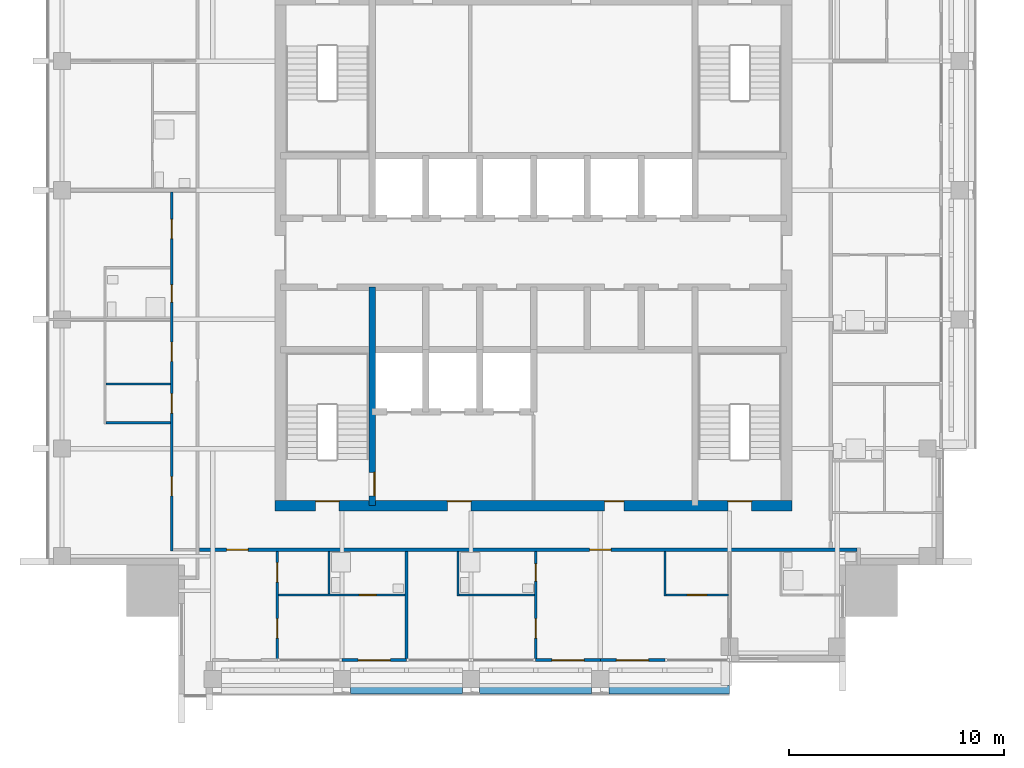
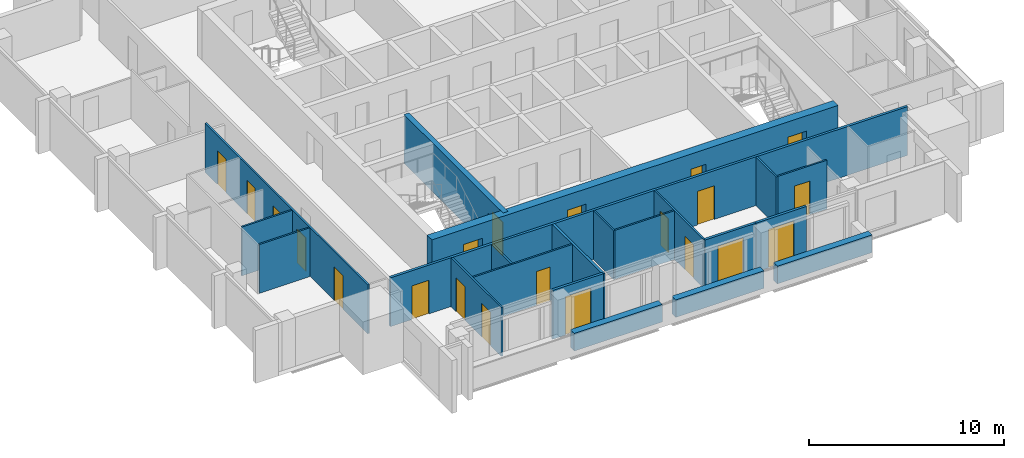
# One storey, part 7 of 15: 21 doors, 21 walls, 21 openings.
"""IFC4 building model written with IfcOpenShell, lengths in metres."""

from ifc_helpers import new_model, si_unit, direction, frame, frame_2d, origin, place, context, subcontext, project, spatial, rectangle, extrude, material, layer, layer_set, type_object, element, fill, save


model = new_model("IFC4")

# Units and contexts
model_context = context("Model", 3, precision=1e-05, world=origin(), true_north=direction((0.0, 1.0)))
body_context = subcontext(model_context, "Body", "Model", "MODEL_VIEW")
ifc_project = project(units=[si_unit("LENGTHUNIT", "METRE"), si_unit("AREAUNIT", "SQUARE_METRE"), si_unit("VOLUMEUNIT", "CUBIC_METRE"), si_unit("PLANEANGLEUNIT", "RADIAN"), si_unit("MASSUNIT", "GRAM", prefix="KILO")], contexts=[model_context])

# Site, building, storey
site_placement = place(None, origin())
site = spatial("IfcSite", under=ifc_project, at=site_placement, CompositionType="ELEMENT")
building_placement = place(site_placement, origin())
building = spatial("IfcBuilding", under=site, at=building_placement, Name="Amberfall Residences", CompositionType="ELEMENT")
storey_placement = place(building_placement, frame((0.0, 0.0, 268.60009765625)))
storey = spatial("IfcBuildingStorey", under=building, at=storey_placement, Name="L72", CompositionType="ELEMENT", Elevation=268.60009765625)

# Wall, opening, door
ifc_material_1 = material(Name="Concrete C50", Category="concrete")
ifc_layer_1 = layer(ifc_material_1, 0.300048828125)
ifc_layer_set_1 = layer_set([ifc_layer_1], Name="Core wall 300 C50")
wall_type_1 = type_object("IfcWallType", Name="Core wall 300 C50", PredefinedType="SHEAR", material=ifc_layer_set_1)
wall_1_placement = place(storey_placement, frame((67.0, 33.75, 0.0), z_axis=(0.0, 0.0, 1.0), x_axis=(0.0, 1.0, 0.0)))
wall_1 = element("IfcWall", 1, at=wall_1_placement, inside=storey, type_object=wall_type_1, Name="Core wall RW10 L72 V45S", PredefinedType="SHEAR", context=body_context, shape_type="SweptSolid", body=[
    extrude(rectangle(XDim=10.14990234375, YDim=0.300048828125, at=frame_2d((5.074951171875, 0.0))), origin(), (0.0, 0.0, 1.0), 3.0498046875),
])
opening_1_placement = place(wall_1_placement, frame((0.449951171875, 0.0, 0.0)))
opening_1 = element("IfcOpeningElement", 2, at=opening_1_placement, cuts=wall_1, Name="Opening FL1", PredefinedType="OPENING", context=body_context, shape_type="SweptSolid", body=[
    extrude(rectangle(XDim=1.10009765625, YDim=2.10009765625, at=frame_2d((0.550048828125, 1.050048828125))), frame((0.0, 0.159912109375, 0.0), z_axis=(0.0, -1.0, 0.0), x_axis=(1.0, 0.0, 0.0)), (0.0, 0.0, 1.0), 0.320068359375),
])
ifc_material_2 = material(Name="Steel fire door set", Category="steel")
door_type_1 = type_object("IfcDoorType", Name="Firefighting lobby door 1100 x 2100", OperationType="SINGLE_SWING_LEFT", PredefinedType="DOOR", material=ifc_material_2)
door_1_placement = place(opening_1_placement, origin())
door_1 = element("IfcDoor", 3, at=door_1_placement, inside=storey, type_object=door_type_1, Name="FL1 L72", OperationType="SINGLE_SWING_RIGHT", OverallHeight=2.10009765625, OverallWidth=1.10009765625, PredefinedType="DOOR", context=body_context, shape_type="SweptSolid", body=[
    extrude(rectangle(XDim=1.10009765625, YDim=2.10009765625, at=frame_2d((0.550048828125, 1.050048828125))), frame((0.0, -0.08740234375, 0.0), z_axis=(0.0, -1.0, 0.0), x_axis=(1.0, 0.0, 0.0)), (0.0, 0.0, 1.0), 0.050048828125),
])
fill(opening_1, door_1)

# Wall, openings, doors
ifc_layer_2 = layer(ifc_material_1, 0.5)
ifc_layer_set_2 = layer_set([ifc_layer_2], Name="Core wall 500 C50")
wall_type_2 = type_object("IfcWallType", Name="Core wall 500 C50", PredefinedType="SHEAR", material=ifc_layer_set_2)
wall_2_placement = place(storey_placement, frame((62.5, 33.75, 0.0), z_axis=(0.0, 0.0, 1.0), x_axis=(1.0, 0.0, 0.0)))
wall_2 = element("IfcWall", 4, at=wall_2_placement, inside=storey, type_object=wall_type_2, Name="Core wall RW9 L72 OS", PredefinedType="SHEAR", context=body_context, shape_type="SweptSolid", body=[
    extrude(rectangle(XDim=24.0, YDim=0.5, at=frame_2d((12.0, 0.0))), origin(), (0.0, 0.0, 1.0), 3.0498046875),
])
opening_2_placement = place(wall_2_placement, frame((1.875, 0.0, 0.0)))
opening_2 = element("IfcOpeningElement", 5, at=opening_2_placement, cuts=wall_2, Name="Opening SD1", PredefinedType="OPENING", context=body_context, shape_type="SweptSolid", body=[
    extrude(rectangle(XDim=1.10009765625, YDim=2.10009765625, at=frame_2d((0.550048828125, 1.050048828125))), frame((0.0, 0.260009765625, 0.0), z_axis=(0.0, -1.0, 0.0), x_axis=(1.0, 0.0, 0.0)), (0.0, 0.0, 1.0), 0.52001953125),
])
opening_3_placement = place(wall_2_placement, frame((21.02490234375, 0.0, 0.0)))
opening_3 = element("IfcOpeningElement", 6, at=opening_3_placement, cuts=wall_2, Name="Opening SD1", PredefinedType="OPENING", context=body_context, shape_type="SweptSolid", body=[
    extrude(rectangle(XDim=1.10009765625, YDim=2.10009765625, at=frame_2d((0.550048828125, 1.050048828125))), frame((0.0, 0.260009765625, 0.0), z_axis=(0.0, -1.0, 0.0), x_axis=(1.0, 0.0, 0.0)), (0.0, 0.0, 1.0), 0.52001953125),
])
opening_4_placement = place(wall_2_placement, frame((8.0, 0.0, 0.0)))
opening_4 = element("IfcOpeningElement", 7, at=opening_4_placement, cuts=wall_2, Name="Opening FL1", PredefinedType="OPENING", context=body_context, shape_type="SweptSolid", body=[
    extrude(rectangle(XDim=1.10009765625, YDim=2.10009765625, at=frame_2d((0.550048828125, 1.050048828125))), frame((0.0, 0.260009765625, 0.0), z_axis=(0.0, -1.0, 0.0), x_axis=(1.0, 0.0, 0.0)), (0.0, 0.0, 1.0), 0.52001953125),
])
opening_5_placement = place(wall_2_placement, frame((15.300048828125, 0.0, 0.0)))
opening_5 = element("IfcOpeningElement", 8, at=opening_5_placement, cuts=wall_2, Name="Opening RD1", PredefinedType="OPENING", context=body_context, shape_type="SweptSolid", body=[
    extrude(rectangle(XDim=0.89990234375, YDim=2.10009765625, at=frame_2d((0.449951171875, 1.050048828125))), frame((0.0, 0.260009765625, 0.0), z_axis=(0.0, -1.0, 0.0), x_axis=(1.0, 0.0, 0.0)), (0.0, 0.0, 1.0), 0.52001953125),
])
door_2_placement = place(opening_4_placement, origin())
door_2 = element("IfcDoor", 9, at=door_2_placement, inside=storey, type_object=door_type_1, Name="FL1 L72", OperationType="SINGLE_SWING_LEFT", OverallHeight=2.10009765625, OverallWidth=1.10009765625, PredefinedType="DOOR", context=body_context, shape_type="SweptSolid", body=[
    extrude(rectangle(XDim=1.10009765625, YDim=2.10009765625, at=frame_2d((0.550048828125, 1.050048828125))), frame((0.0, 0.2373046875, 0.0), z_axis=(0.0, -1.0, 0.0), x_axis=(1.0, 0.0, 0.0)), (0.0, 0.0, 1.0), 0.050048828125),
])
fill(opening_4, door_2)
door_type_2 = type_object("IfcDoorType", Name="Service room door 900 x 2100", OperationType="SINGLE_SWING_LEFT", PredefinedType="DOOR", material=ifc_material_2)
door_3_placement = place(opening_5_placement, origin())
door_3 = element("IfcDoor", 10, at=door_3_placement, inside=storey, type_object=door_type_2, Name="RD1 L72", OperationType="SINGLE_SWING_LEFT", OverallHeight=2.10009765625, OverallWidth=0.89990234375, PredefinedType="DOOR", context=body_context, shape_type="SweptSolid", body=[
    extrude(rectangle(XDim=0.89990234375, YDim=2.10009765625, at=frame_2d((0.449951171875, 1.050048828125))), frame((0.0, 0.2373046875, 0.0), z_axis=(0.0, -1.0, 0.0), x_axis=(1.0, 0.0, 0.0)), (0.0, 0.0, 1.0), 0.050048828125),
])
fill(opening_5, door_3)
door_type_3 = type_object("IfcDoorType", Name="Stair door 1100 x 2100", OperationType="SINGLE_SWING_LEFT", PredefinedType="DOOR", material=ifc_material_2)
door_4_placement = place(opening_2_placement, origin())
door_4 = element("IfcDoor", 11, at=door_4_placement, inside=storey, type_object=door_type_3, Name="SD1 L72", OperationType="SINGLE_SWING_LEFT", OverallHeight=2.10009765625, OverallWidth=1.10009765625, PredefinedType="DOOR", context=body_context, shape_type="SweptSolid", body=[
    extrude(rectangle(XDim=1.10009765625, YDim=2.10009765625, at=frame_2d((0.550048828125, 1.050048828125))), frame((0.0, 0.2373046875, 0.0), z_axis=(0.0, -1.0, 0.0), x_axis=(1.0, 0.0, 0.0)), (0.0, 0.0, 1.0), 0.050048828125),
])
fill(opening_2, door_4)
door_5_placement = place(opening_3_placement, origin())
door_5 = element("IfcDoor", 12, at=door_5_placement, inside=storey, type_object=door_type_3, Name="SD1 L72", OperationType="SINGLE_SWING_RIGHT", OverallHeight=2.10009765625, OverallWidth=1.10009765625, PredefinedType="DOOR", context=body_context, shape_type="SweptSolid", body=[
    extrude(rectangle(XDim=1.10009765625, YDim=2.10009765625, at=frame_2d((0.550048828125, 1.050048828125))), frame((0.0, 0.2373046875, 0.0), z_axis=(0.0, -1.0, 0.0), x_axis=(1.0, 0.0, 0.0)), (0.0, 0.0, 1.0), 0.050048828125),
])
fill(opening_3, door_5)

ifc_material_3 = material(Name="Gypsum board on metal stud")
ifc_layer_3 = layer(ifc_material_3, 0.10009765625)
ifc_layer_set_3 = layer_set([ifc_layer_3], Name="Flat partition 100")
wall_type_3 = type_object("IfcWallType", Name="Flat partition 100", PredefinedType="PARTITIONING", material=ifc_layer_set_3)
wall_3_placement = place(storey_placement, frame((57.699951171875, 31.64990234375, 0.0), z_axis=(0.0, 0.0, 1.0), x_axis=(0.0, 1.0, 0.0)))
wall_3 = element("IfcWall", 13, at=wall_3_placement, inside=storey, type_object=wall_type_3, Name="Partition 003", PredefinedType="PARTITIONING", context=body_context, shape_type="SweptSolid", body=[
    extrude(rectangle(XDim=16.675048828125, YDim=0.10009765625, at=frame_2d((8.33740234375, 0.0))), origin(), (0.0, 0.0, 1.0), 3.0498046875),
])
opening_6_placement = place(wall_3_placement, frame((2.550048828125, 0.0, 0.0)))
opening_6 = element("IfcOpeningElement", 14, at=opening_6_placement, cuts=wall_3, Name="Opening D41", PredefinedType="OPENING", context=body_context, shape_type="SweptSolid", body=[
    extrude(rectangle(XDim=0.89990234375, YDim=2.10009765625, at=frame_2d((0.449951171875, 1.050048828125))), frame((0.0, 0.06005859375, 0.0), z_axis=(0.0, -1.0, 0.0), x_axis=(1.0, 0.0, 0.0)), (0.0, 0.0, 1.0), 0.1201171875),
])
opening_7_placement = place(wall_3_placement, frame((8.800048828125, 0.0, 0.0)))
opening_7 = element("IfcOpeningElement", 15, at=opening_7_placement, cuts=wall_3, Name="Opening D41", PredefinedType="OPENING", context=body_context, shape_type="SweptSolid", body=[
    extrude(rectangle(XDim=0.89990234375, YDim=2.10009765625, at=frame_2d((0.449951171875, 1.050048828125))), frame((0.0, 0.06005859375, 0.0), z_axis=(0.0, -1.0, 0.0), x_axis=(1.0, 0.0, 0.0)), (0.0, 0.0, 1.0), 0.1201171875),
])
opening_8_placement = place(wall_3_placement, frame((6.39990234375, 0.0, 0.0)))
opening_8 = element("IfcOpeningElement", 16, at=opening_8_placement, cuts=wall_3, Name="Opening D41", PredefinedType="OPENING", context=body_context, shape_type="SweptSolid", body=[
    extrude(rectangle(XDim=0.89990234375, YDim=2.10009765625, at=frame_2d((0.449951171875, 1.050048828125))), frame((0.0, 0.06005859375, 0.0), z_axis=(0.0, -1.0, 0.0), x_axis=(1.0, 0.0, 0.0)), (0.0, 0.0, 1.0), 0.1201171875),
])
opening_9_placement = place(wall_3_placement, frame((14.5, 0.0, 0.0)))
opening_9 = element("IfcOpeningElement", 17, at=opening_9_placement, cuts=wall_3, Name="Opening D41", PredefinedType="OPENING", context=body_context, shape_type="SweptSolid", body=[
    extrude(rectangle(XDim=0.89990234375, YDim=2.10009765625, at=frame_2d((0.449951171875, 1.050048828125))), frame((0.0, 0.06005859375, 0.0), z_axis=(0.0, -1.0, 0.0), x_axis=(1.0, 0.0, 0.0)), (0.0, 0.0, 1.0), 0.1201171875),
])
opening_10_placement = place(wall_3_placement, frame((11.550048828125, 0.0, 0.0)))
opening_10 = element("IfcOpeningElement", 18, at=opening_10_placement, cuts=wall_3, Name="Opening D42", PredefinedType="OPENING", context=body_context, shape_type="SweptSolid", body=[
    extrude(rectangle(XDim=0.800048828125, YDim=2.10009765625, at=frame_2d((0.39990234375, 1.050048828125))), frame((0.0, 0.06005859375, 0.0), z_axis=(0.0, -1.0, 0.0), x_axis=(1.0, 0.0, 0.0)), (0.0, 0.0, 1.0), 0.1201171875),
])
ifc_material_4 = material(Name="Timber", Category="wood")
door_type_4 = type_object("IfcDoorType", Name="Bathroom door 800 x 2100", OperationType="SINGLE_SWING_LEFT", PredefinedType="DOOR", material=ifc_material_4)
door_6_placement = place(opening_10_placement, origin())
door_6 = element("IfcDoor", 19, at=door_6_placement, inside=storey, type_object=door_type_4, Name="Door 7207 bath1", OperationType="SINGLE_SWING_LEFT", OverallHeight=2.10009765625, OverallWidth=0.800048828125, PredefinedType="DOOR", context=body_context, shape_type="SweptSolid", body=[
    extrude(rectangle(XDim=0.800048828125, YDim=2.10009765625, at=frame_2d((0.39990234375, 1.050048828125))), frame((0.0, 0.02490234375, 0.0), z_axis=(0.0, -1.0, 0.0), x_axis=(1.0, 0.0, 0.0)), (0.0, 0.0, 1.0), 0.050048828125),
])
fill(opening_10, door_6)
door_type_5 = type_object("IfcDoorType", Name="Internal door 900 x 2100", OperationType="SINGLE_SWING_LEFT", PredefinedType="DOOR", material=ifc_material_4)
door_7_placement = place(opening_6_placement, origin())
door_7 = element("IfcDoor", 20, at=door_7_placement, inside=storey, type_object=door_type_5, Name="Door 7207 living", OperationType="SINGLE_SWING_LEFT", OverallHeight=2.10009765625, OverallWidth=0.89990234375, PredefinedType="DOOR", context=body_context, shape_type="SweptSolid", body=[
    extrude(rectangle(XDim=0.89990234375, YDim=2.10009765625, at=frame_2d((0.449951171875, 1.050048828125))), frame((0.0, 0.02490234375, 0.0), z_axis=(0.0, -1.0, 0.0), x_axis=(1.0, 0.0, 0.0)), (0.0, 0.0, 1.0), 0.050048828125),
])
fill(opening_6, door_7)
door_8_placement = place(opening_7_placement, origin())
door_8 = element("IfcDoor", 21, at=door_8_placement, inside=storey, type_object=door_type_5, Name="Door 7207 kitchen", OperationType="SINGLE_SWING_LEFT", OverallHeight=2.10009765625, OverallWidth=0.89990234375, PredefinedType="DOOR", context=body_context, shape_type="SweptSolid", body=[
    extrude(rectangle(XDim=0.89990234375, YDim=2.10009765625, at=frame_2d((0.449951171875, 1.050048828125))), frame((0.0, 0.02490234375, 0.0), z_axis=(0.0, -1.0, 0.0), x_axis=(1.0, 0.0, 0.0)), (0.0, 0.0, 1.0), 0.050048828125),
])
fill(opening_7, door_8)
door_9_placement = place(opening_8_placement, origin())
door_9 = element("IfcDoor", 22, at=door_9_placement, inside=storey, type_object=door_type_5, Name="Door 7207 utility", OperationType="SINGLE_SWING_LEFT", OverallHeight=2.10009765625, OverallWidth=0.89990234375, PredefinedType="DOOR", context=body_context, shape_type="SweptSolid", body=[
    extrude(rectangle(XDim=0.89990234375, YDim=2.10009765625, at=frame_2d((0.449951171875, 1.050048828125))), frame((0.0, 0.02490234375, 0.0), z_axis=(0.0, -1.0, 0.0), x_axis=(1.0, 0.0, 0.0)), (0.0, 0.0, 1.0), 0.050048828125),
])
fill(opening_8, door_9)
door_10_placement = place(opening_9_placement, origin())
door_10 = element("IfcDoor", 23, at=door_10_placement, inside=storey, type_object=door_type_5, Name="Door 7207 bedroom1", OperationType="SINGLE_SWING_LEFT", OverallHeight=2.10009765625, OverallWidth=0.89990234375, PredefinedType="DOOR", context=body_context, shape_type="SweptSolid", body=[
    extrude(rectangle(XDim=0.89990234375, YDim=2.10009765625, at=frame_2d((0.449951171875, 1.050048828125))), frame((0.0, 0.02490234375, 0.0), z_axis=(0.0, -1.0, 0.0), x_axis=(1.0, 0.0, 0.0)), (0.0, 0.0, 1.0), 0.050048828125),
])
fill(opening_9, door_10)

wall_4_placement = place(storey_placement, frame((62.60009765625, 31.625, 0.0), z_axis=(0.0, 0.0, 1.0), x_axis=(0.0, -1.0, 0.0)))
wall_4 = element("IfcWall", 24, at=wall_4_placement, inside=storey, type_object=wall_type_3, Name="Partition 004", PredefinedType="PARTITIONING", context=body_context, shape_type="SweptSolid", body=[
    extrude(rectangle(XDim=5.125, YDim=0.10009765625, at=frame_2d((2.5625, 0.0))), origin(), (0.0, 0.0, 1.0), 3.0498046875),
])
opening_11_placement = place(wall_4_placement, frame((0.52490234375, 0.0, 0.0)))
opening_11 = element("IfcOpeningElement", 25, at=opening_11_placement, cuts=wall_4, Name="Opening D41", PredefinedType="OPENING", context=body_context, shape_type="SweptSolid", body=[
    extrude(rectangle(XDim=0.89990234375, YDim=2.10009765625, at=frame_2d((0.449951171875, 1.050048828125))), frame((0.0, 0.06005859375, 0.0), z_axis=(0.0, -1.0, 0.0), x_axis=(1.0, 0.0, 0.0)), (0.0, 0.0, 1.0), 0.1201171875),
])
opening_12_placement = place(wall_4_placement, frame((3.125, 0.0, 0.0)))
opening_12 = element("IfcOpeningElement", 26, at=opening_12_placement, cuts=wall_4, Name="Opening D41", PredefinedType="OPENING", context=body_context, shape_type="SweptSolid", body=[
    extrude(rectangle(XDim=0.89990234375, YDim=2.10009765625, at=frame_2d((0.449951171875, 1.050048828125))), frame((0.0, 0.06005859375, 0.0), z_axis=(0.0, -1.0, 0.0), x_axis=(1.0, 0.0, 0.0)), (0.0, 0.0, 1.0), 0.1201171875),
])
door_11_placement = place(opening_11_placement, origin())
door_11 = element("IfcDoor", 27, at=door_11_placement, inside=storey, type_object=door_type_5, Name="Door 7201 kitchen", OperationType="SINGLE_SWING_LEFT", OverallHeight=2.10009765625, OverallWidth=0.89990234375, PredefinedType="DOOR", context=body_context, shape_type="SweptSolid", body=[
    extrude(rectangle(XDim=0.89990234375, YDim=2.10009765625, at=frame_2d((0.449951171875, 1.050048828125))), frame((0.0, 0.02490234375, 0.0), z_axis=(0.0, -1.0, 0.0), x_axis=(1.0, 0.0, 0.0)), (0.0, 0.0, 1.0), 0.050048828125),
])
fill(opening_11, door_11)
door_12_placement = place(opening_12_placement, origin())
door_12 = element("IfcDoor", 28, at=door_12_placement, inside=storey, type_object=door_type_5, Name="Door 7201 bedroom1", OperationType="SINGLE_SWING_LEFT", OverallHeight=2.10009765625, OverallWidth=0.89990234375, PredefinedType="DOOR", context=body_context, shape_type="SweptSolid", body=[
    extrude(rectangle(XDim=0.89990234375, YDim=2.10009765625, at=frame_2d((0.449951171875, 1.050048828125))), frame((0.0, 0.02490234375, 0.0), z_axis=(0.0, -1.0, 0.0), x_axis=(1.0, 0.0, 0.0)), (0.0, 0.0, 1.0), 0.050048828125),
])
fill(opening_12, door_12)

# Walls
wall_5_placement = place(storey_placement, frame((65.0, 29.64990234375, 0.0), z_axis=(0.0, 0.0, 1.0), x_axis=(0.0, 1.0, 0.0)))
element("IfcWall", 29, at=wall_5_placement, inside=storey, type_object=wall_type_3, Name="Partition 006", PredefinedType="PARTITIONING", context=body_context, shape_type="SweptSolid", body=[
    extrude(rectangle(XDim=1.97509765625, YDim=0.10009765625, at=frame_2d((0.987548828125, 0.0))), origin(), (0.0, 0.0, 1.0), 3.0498046875),
])
wall_6_placement = place(storey_placement, frame((71.0, 29.550048828125, 0.0), z_axis=(0.0, 0.0, 1.0), x_axis=(0.0, 1.0, 0.0)))
element("IfcWall", 30, at=wall_6_placement, inside=storey, type_object=wall_type_3, Name="Partition 009", PredefinedType="PARTITIONING", context=body_context, shape_type="SweptSolid", body=[
    extrude(rectangle(XDim=2.074951171875, YDim=0.10009765625, at=frame_2d((1.03759765625, 0.0))), origin(), (0.0, 0.0, 1.0), 3.0498046875),
])

# Wall, openings, doors
wall_7_placement = place(storey_placement, frame((74.60009765625, 26.5, 0.0), z_axis=(0.0, 0.0, 1.0), x_axis=(0.0, 1.0, 0.0)))
wall_7 = element("IfcWall", 31, at=wall_7_placement, inside=storey, type_object=wall_type_3, Name="Partition 011", PredefinedType="PARTITIONING", context=body_context, shape_type="SweptSolid", body=[
    extrude(rectangle(XDim=5.125, YDim=0.10009765625, at=frame_2d((2.5625, 0.0))), origin(), (0.0, 0.0, 1.0), 3.0498046875),
])
opening_13_placement = place(wall_7_placement, frame((1.10009765625, 0.0, 0.0)))
opening_13 = element("IfcOpeningElement", 32, at=opening_13_placement, cuts=wall_7, Name="Opening D41", PredefinedType="OPENING", context=body_context, shape_type="SweptSolid", body=[
    extrude(rectangle(XDim=0.89990234375, YDim=2.10009765625, at=frame_2d((0.449951171875, 1.050048828125))), frame((0.0, 0.06005859375, 0.0), z_axis=(0.0, -1.0, 0.0), x_axis=(1.0, 0.0, 0.0)), (0.0, 0.0, 1.0), 0.1201171875),
])
opening_14_placement = place(wall_7_placement, frame((3.75, 0.0, 0.0)))
opening_14 = element("IfcOpeningElement", 33, at=opening_14_placement, cuts=wall_7, Name="Opening D42", PredefinedType="OPENING", context=body_context, shape_type="SweptSolid", body=[
    extrude(rectangle(XDim=0.800048828125, YDim=2.10009765625, at=frame_2d((0.39990234375, 1.050048828125))), frame((0.0, 0.06005859375, 0.0), z_axis=(0.0, -1.0, 0.0), x_axis=(1.0, 0.0, 0.0)), (0.0, 0.0, 1.0), 0.1201171875),
])
door_13_placement = place(opening_14_placement, origin())
door_13 = element("IfcDoor", 34, at=door_13_placement, inside=storey, type_object=door_type_4, Name="Door 7202 bath1", OperationType="SINGLE_SWING_LEFT", OverallHeight=2.10009765625, OverallWidth=0.800048828125, PredefinedType="DOOR", context=body_context, shape_type="SweptSolid", body=[
    extrude(rectangle(XDim=0.800048828125, YDim=2.10009765625, at=frame_2d((0.39990234375, 1.050048828125))), frame((0.0, 0.02490234375, 0.0), z_axis=(0.0, -1.0, 0.0), x_axis=(1.0, 0.0, 0.0)), (0.0, 0.0, 1.0), 0.050048828125),
])
fill(opening_14, door_13)
door_14_placement = place(opening_13_placement, origin())
door_14 = element("IfcDoor", 35, at=door_14_placement, inside=storey, type_object=door_type_5, Name="Door 7202 bedroom1", OperationType="SINGLE_SWING_LEFT", OverallHeight=2.10009765625, OverallWidth=0.89990234375, PredefinedType="DOOR", context=body_context, shape_type="SweptSolid", body=[
    extrude(rectangle(XDim=0.89990234375, YDim=2.10009765625, at=frame_2d((0.449951171875, 1.050048828125))), frame((0.0, 0.02490234375, 0.0), z_axis=(0.0, -1.0, 0.0), x_axis=(1.0, 0.0, 0.0)), (0.0, 0.0, 1.0), 0.050048828125),
])
fill(opening_13, door_14)

# Walls
wall_8_placement = place(storey_placement, frame((80.60009765625, 29.550048828125, 0.0), z_axis=(0.0, 0.0, 1.0), x_axis=(0.0, 1.0, 0.0)))
element("IfcWall", 36, at=wall_8_placement, inside=storey, type_object=wall_type_3, Name="Partition 013", PredefinedType="PARTITIONING", context=body_context, shape_type="SweptSolid", body=[
    extrude(rectangle(XDim=2.074951171875, YDim=0.10009765625, at=frame_2d((1.03759765625, 0.0))), origin(), (0.0, 0.0, 1.0), 3.0498046875),
])
for number, where, z_axis, x_axis, name in (
    (37, (54.64990234375, 39.39990234375, 0.0), (0.0, 0.0, 1.0), (1.0, 0.0, 0.0), "Partition 033"),
    (38, (54.64990234375, 37.60009765625, 0.0), (0.0, 0.0, 1.0), (1.0, 0.0, 0.0), "Partition 034"),
):
    element("IfcWall", number, at=place(storey_placement, frame(where, z_axis=z_axis, x_axis=x_axis)), inside=storey, type_object=wall_type_3, Name=name, PredefinedType="PARTITIONING", context=body_context, shape_type="SweptSolid", body=[
        extrude(rectangle(XDim=3.0, YDim=0.10009765625, at=frame_2d((1.5, 0.0))), origin(), (0.0, 0.0, 1.0), 3.0498046875),
    ])

# Wall, opening, door
wall_9_placement = place(storey_placement, frame((62.64990234375, 29.60009765625, 0.0), z_axis=(0.0, 0.0, 1.0), x_axis=(1.0, 0.0, 0.0)))
wall_9 = element("IfcWall", 39, at=wall_9_placement, inside=storey, type_object=wall_type_3, Name="Partition 038", PredefinedType="PARTITIONING", context=body_context, shape_type="SweptSolid", body=[
    extrude(rectangle(XDim=5.875, YDim=0.10009765625, at=frame_2d((2.9375, 0.0))), origin(), (0.0, 0.0, 1.0), 3.0498046875),
])
opening_15_placement = place(wall_9_placement, frame((3.75, 0.0, 0.0)))
opening_15 = element("IfcOpeningElement", 40, at=opening_15_placement, cuts=wall_9, Name="Opening D42", PredefinedType="OPENING", context=body_context, shape_type="SweptSolid", body=[
    extrude(rectangle(XDim=0.800048828125, YDim=2.10009765625, at=frame_2d((0.39990234375, 1.050048828125))), frame((0.0, 0.06005859375, 0.0), z_axis=(0.0, -1.0, 0.0), x_axis=(1.0, 0.0, 0.0)), (0.0, 0.0, 1.0), 0.1201171875),
])
door_15_placement = place(opening_15_placement, origin())
door_15 = element("IfcDoor", 41, at=door_15_placement, inside=storey, type_object=door_type_4, Name="Door 7201 bath1", OperationType="SINGLE_SWING_LEFT", OverallHeight=2.10009765625, OverallWidth=0.800048828125, PredefinedType="DOOR", context=body_context, shape_type="SweptSolid", body=[
    extrude(rectangle(XDim=0.800048828125, YDim=2.10009765625, at=frame_2d((0.39990234375, 1.050048828125))), frame((0.0, 0.02490234375, 0.0), z_axis=(0.0, -1.0, 0.0), x_axis=(1.0, 0.0, 0.0)), (0.0, 0.0, 1.0), 0.050048828125),
])
fill(opening_15, door_15)

# Wall
wall_10_placement = place(storey_placement, frame((71.050048828125, 29.60009765625, 0.0), z_axis=(0.0, 0.0, 1.0), x_axis=(1.0, 0.0, 0.0)))
element("IfcWall", 42, at=wall_10_placement, inside=storey, type_object=wall_type_3, Name="Partition 039", PredefinedType="PARTITIONING", context=body_context, shape_type="SweptSolid", body=[
    extrude(rectangle(XDim=3.5, YDim=0.10009765625, at=frame_2d((1.75, 0.0))), origin(), (0.0, 0.0, 1.0), 3.0498046875),
])

# Wall, opening, door
wall_11_placement = place(storey_placement, frame((80.64990234375, 29.60009765625, 0.0), z_axis=(0.0, 0.0, 1.0), x_axis=(1.0, 0.0, 0.0)))
wall_11 = element("IfcWall", 43, at=wall_11_placement, inside=storey, type_object=wall_type_3, Name="Partition 040", PredefinedType="PARTITIONING", context=body_context, shape_type="SweptSolid", body=[
    extrude(rectangle(XDim=2.900146484375, YDim=0.10009765625, at=frame_2d((1.4501953125, 0.0))), origin(), (0.0, 0.0, 1.0), 3.0498046875),
])
opening_16_placement = place(wall_11_placement, frame((1.0, 0.0, 0.0)))
opening_16 = element("IfcOpeningElement", 44, at=opening_16_placement, cuts=wall_11, Name="Opening D41", PredefinedType="OPENING", context=body_context, shape_type="SweptSolid", body=[
    extrude(rectangle(XDim=0.89990234375, YDim=2.10009765625, at=frame_2d((0.449951171875, 1.050048828125))), frame((0.0, 0.06005859375, 0.0), z_axis=(0.0, -1.0, 0.0), x_axis=(1.0, 0.0, 0.0)), (0.0, 0.0, 1.0), 0.1201171875),
])
door_16_placement = place(opening_16_placement, origin())
door_16 = element("IfcDoor", 45, at=door_16_placement, inside=storey, type_object=door_type_5, Name="Door 7202 kitchen", OperationType="SINGLE_SWING_LEFT", OverallHeight=2.10009765625, OverallWidth=0.89990234375, PredefinedType="DOOR", context=body_context, shape_type="SweptSolid", body=[
    extrude(rectangle(XDim=0.89990234375, YDim=2.10009765625, at=frame_2d((0.449951171875, 1.050048828125))), frame((0.0, 0.02490234375, 0.0), z_axis=(0.0, -1.0, 0.0), x_axis=(1.0, 0.0, 0.0)), (0.0, 0.0, 1.0), 0.050048828125),
])
fill(opening_16, door_16)

# Wall
ifc_material_5 = material(Name="Blockwork, plastered", Category="masonry")
ifc_layer_4 = layer(ifc_material_5, 0.14990234375)
ifc_layer_set_4 = layer_set([ifc_layer_4], Name="Flat separating wall 150")
wall_type_4 = type_object("IfcWallType", Name="Flat separating wall 150", PredefinedType="PARTITIONING", material=ifc_layer_set_4)
wall_12_placement = place(storey_placement, frame((68.60009765625, 26.5, 0.0), z_axis=(0.0, 0.0, 1.0), x_axis=(0.0, 1.0, 0.0)))
element("IfcWall", 46, at=wall_12_placement, inside=storey, type_object=wall_type_4, Name="Separating wall 044", PredefinedType="PARTITIONING", context=body_context, shape_type="SweptSolid", body=[
    extrude(rectangle(XDim=5.125, YDim=0.14990234375, at=frame_2d((2.5625, 0.0))), origin(), (0.0, 0.0, 1.0), 3.0498046875),
])

# Wall, openings, doors
wall_13_placement = place(storey_placement, frame((89.52490234375, 31.699951171875, 0.0), z_axis=(0.0, 0.0, 1.0), x_axis=(-1.0, 0.0, 0.0)))
wall_13 = element("IfcWall", 47, at=wall_13_placement, inside=storey, type_object=wall_type_4, Name="Separating wall 052", PredefinedType="PARTITIONING", context=body_context, shape_type="SweptSolid", body=[
    extrude(rectangle(XDim=30.5498046875, YDim=0.14990234375, at=frame_2d((15.27490234375, 0.0))), origin(), (0.0, 0.0, 1.0), 3.0498046875),
])
opening_17_placement = place(wall_13_placement, frame((28.27490234375, 0.0, 0.0)))
opening_17 = element("IfcOpeningElement", 48, at=opening_17_placement, cuts=wall_13, Name="Opening D40", PredefinedType="OPENING", context=body_context, shape_type="SweptSolid", body=[
    extrude(rectangle(XDim=1.0, YDim=2.10009765625, at=frame_2d((0.5, 1.050048828125))), frame((0.0, 0.0849609375, 0.0), z_axis=(0.0, -1.0, 0.0), x_axis=(1.0, 0.0, 0.0)), (0.0, 0.0, 1.0), 0.169921875),
])
opening_18_placement = place(wall_13_placement, frame((11.425048828125, 0.0, 0.0)))
opening_18 = element("IfcOpeningElement", 49, at=opening_18_placement, cuts=wall_13, Name="Opening D40", PredefinedType="OPENING", context=body_context, shape_type="SweptSolid", body=[
    extrude(rectangle(XDim=1.0, YDim=2.10009765625, at=frame_2d((0.5, 1.050048828125))), frame((0.0, 0.0849609375, 0.0), z_axis=(0.0, -1.0, 0.0), x_axis=(1.0, 0.0, 0.0)), (0.0, 0.0, 1.0), 0.169921875),
])
ifc_material_6 = material(Name="Timber, fire-rated", Category="wood")
door_type_6 = type_object("IfcDoorType", Name="Flat entrance door FD60 1000 x 2100", OperationType="SINGLE_SWING_LEFT", PredefinedType="DOOR", material=ifc_material_6)
door_17_placement = place(opening_17_placement, origin())
door_17 = element("IfcDoor", 50, at=door_17_placement, inside=storey, type_object=door_type_6, Name="Door 7201 entrance", OperationType="SINGLE_SWING_LEFT", OverallHeight=2.10009765625, OverallWidth=1.0, PredefinedType="DOOR", context=body_context, shape_type="SweptSolid", body=[
    extrude(rectangle(XDim=1.0, YDim=2.10009765625, at=frame_2d((0.5, 1.050048828125))), frame((0.0, 0.02490234375, 0.0), z_axis=(0.0, -1.0, 0.0), x_axis=(1.0, 0.0, 0.0)), (0.0, 0.0, 1.0), 0.050048828125),
])
fill(opening_17, door_17)
door_18_placement = place(opening_18_placement, origin())
door_18 = element("IfcDoor", 51, at=door_18_placement, inside=storey, type_object=door_type_6, Name="Door 7202 entrance", OperationType="SINGLE_SWING_LEFT", OverallHeight=2.10009765625, OverallWidth=1.0, PredefinedType="DOOR", context=body_context, shape_type="SweptSolid", body=[
    extrude(rectangle(XDim=1.0, YDim=2.10009765625, at=frame_2d((0.5, 1.050048828125))), frame((0.0, 0.02490234375, 0.0), z_axis=(0.0, -1.0, 0.0), x_axis=(1.0, 0.0, 0.0)), (0.0, 0.0, 1.0), 0.050048828125),
])
fill(opening_18, door_18)

# Wall, opening, door
ifc_material_7 = material(Name="Pale stone cladding on insulated backing", Category="masonry")
ifc_layer_5 = layer(ifc_material_7, 0.14990234375)
ifc_layer_set_5 = layer_set([ifc_layer_5], Name="Terrace door infill wall 150")
wall_type_5 = type_object("IfcWallType", Name="Terrace door infill wall 150", PredefinedType="SOLIDWALL", material=ifc_layer_set_5)
wall_14_placement = place(storey_placement, frame((65.60009765625, 26.574951171875, 0.0), z_axis=(0.0, 0.0, 1.0), x_axis=(1.0, 0.0, 0.0)))
wall_14 = element("IfcWall", 52, at=wall_14_placement, inside=storey, type_object=wall_type_5, Name="Terrace door wall L72 S2", PredefinedType="SOLIDWALL", context=body_context, shape_type="SweptSolid", body=[
    extrude(rectangle(XDim=3.0, YDim=0.14990234375, at=frame_2d((1.5, 0.0))), origin(), (0.0, 0.0, 1.0), 3.0498046875),
])
opening_19_placement = place(wall_14_placement, frame((0.75, 0.0, 0.0)))
opening_19 = element("IfcOpeningElement", 53, at=opening_19_placement, cuts=wall_14, Name="Opening TD2", PredefinedType="OPENING", context=body_context, shape_type="SweptSolid", body=[
    extrude(rectangle(XDim=1.5, YDim=2.39990234375, at=frame_2d((0.75, 1.199951171875))), frame((0.0, 0.0849609375, 0.0), z_axis=(0.0, -1.0, 0.0), x_axis=(1.0, 0.0, 0.0)), (0.0, 0.0, 1.0), 0.169921875),
])
ifc_material_8 = material(Name="Bronze aluminium framed glazed door", Category="aluminium")
door_type_7 = type_object("IfcDoorType", Name="Terrace sliding door 1500 x 2400", OperationType="DOUBLE_DOOR_SLIDING", PredefinedType="DOOR", material=ifc_material_8)
door_19_placement = place(opening_19_placement, origin())
door_19 = element("IfcDoor", 54, at=door_19_placement, inside=storey, type_object=door_type_7, Name="Terrace door TD2", OperationType="DOUBLE_DOOR_SLIDING", OverallHeight=2.39990234375, OverallWidth=1.5, PredefinedType="DOOR", context=body_context, shape_type="SweptSolid", body=[
    extrude(rectangle(XDim=1.5, YDim=2.39990234375, at=frame_2d((0.75, 1.199951171875))), frame((0.0, 0.02490234375, 0.0), z_axis=(0.0, -1.0, 0.0), x_axis=(1.0, 0.0, 0.0)), (0.0, 0.0, 1.0), 0.050048828125),
])
fill(opening_19, door_19)

wall_15_placement = place(storey_placement, frame((74.60009765625, 26.574951171875, 0.0), z_axis=(0.0, 0.0, 1.0), x_axis=(1.0, 0.0, 0.0)))
wall_15 = element("IfcWall", 55, at=wall_15_placement, inside=storey, type_object=wall_type_5, Name="Terrace door wall L72 S3", PredefinedType="SOLIDWALL", context=body_context, shape_type="SweptSolid", body=[
    extrude(rectangle(XDim=3.0, YDim=0.14990234375, at=frame_2d((1.5, 0.0))), origin(), (0.0, 0.0, 1.0), 3.0498046875),
])
opening_20_placement = place(wall_15_placement, frame((0.75, 0.0, 0.0)))
opening_20 = element("IfcOpeningElement", 56, at=opening_20_placement, cuts=wall_15, Name="Opening TD2", PredefinedType="OPENING", context=body_context, shape_type="SweptSolid", body=[
    extrude(rectangle(XDim=1.5, YDim=2.39990234375, at=frame_2d((0.75, 1.199951171875))), frame((0.0, 0.0849609375, 0.0), z_axis=(0.0, -1.0, 0.0), x_axis=(1.0, 0.0, 0.0)), (0.0, 0.0, 1.0), 0.169921875),
])
door_20_placement = place(opening_20_placement, origin())
door_20 = element("IfcDoor", 57, at=door_20_placement, inside=storey, type_object=door_type_7, Name="Terrace door TD2", OperationType="DOUBLE_DOOR_SLIDING", OverallHeight=2.39990234375, OverallWidth=1.5, PredefinedType="DOOR", context=body_context, shape_type="SweptSolid", body=[
    extrude(rectangle(XDim=1.5, YDim=2.39990234375, at=frame_2d((0.75, 1.199951171875))), frame((0.0, 0.02490234375, 0.0), z_axis=(0.0, -1.0, 0.0), x_axis=(1.0, 0.0, 0.0)), (0.0, 0.0, 1.0), 0.050048828125),
])
fill(opening_20, door_20)

wall_16_placement = place(storey_placement, frame((77.60009765625, 26.574951171875, 0.0), z_axis=(0.0, 0.0, 1.0), x_axis=(1.0, 0.0, 0.0)))
wall_16 = element("IfcWall", 58, at=wall_16_placement, inside=storey, type_object=wall_type_5, Name="Terrace door wall L72 S4", PredefinedType="SOLIDWALL", context=body_context, shape_type="SweptSolid", body=[
    extrude(rectangle(XDim=3.0, YDim=0.14990234375, at=frame_2d((1.5, 0.0))), origin(), (0.0, 0.0, 1.0), 3.0498046875),
])
opening_21_placement = place(wall_16_placement, frame((0.75, 0.0, 0.0)))
opening_21 = element("IfcOpeningElement", 59, at=opening_21_placement, cuts=wall_16, Name="Opening TD2", PredefinedType="OPENING", context=body_context, shape_type="SweptSolid", body=[
    extrude(rectangle(XDim=1.5, YDim=2.39990234375, at=frame_2d((0.75, 1.199951171875))), frame((0.0, 0.0849609375, 0.0), z_axis=(0.0, -1.0, 0.0), x_axis=(1.0, 0.0, 0.0)), (0.0, 0.0, 1.0), 0.169921875),
])
door_21_placement = place(opening_21_placement, origin())
door_21 = element("IfcDoor", 60, at=door_21_placement, inside=storey, type_object=door_type_7, Name="Terrace door TD2", OperationType="DOUBLE_DOOR_SLIDING", OverallHeight=2.39990234375, OverallWidth=1.5, PredefinedType="DOOR", context=body_context, shape_type="SweptSolid", body=[
    extrude(rectangle(XDim=1.5, YDim=2.39990234375, at=frame_2d((0.75, 1.199951171875))), frame((0.0, 0.02490234375, 0.0), z_axis=(0.0, -1.0, 0.0), x_axis=(1.0, 0.0, 0.0)), (0.0, 0.0, 1.0), 0.050048828125),
])
fill(opening_21, door_21)

# Walls
ifc_material_9 = material(Name="Pale stone faced Concrete C40", Category="masonry")
ifc_layer_6 = layer(ifc_material_9, 0.39990234375)
ifc_layer_set_6 = layer_set([ifc_layer_6], Name="Terrace parapet wall 400")
wall_type_6 = type_object("IfcWallType", Name="Terrace parapet wall 400", PredefinedType="PARAPET", material=ifc_layer_set_6)
for number, where, z_axis, x_axis, name in (
    (61, (66.0, 25.199951171875, 0.02978515625), (0.0, 0.0, 1.0), (1.0, 0.0, 0.0), "Terrace parapet L72 S2"),
    (62, (72.0, 25.199951171875, 0.02978515625), (0.0, 0.0, 1.0), (1.0, 0.0, 0.0), "Terrace parapet L72 S3"),
):
    element("IfcWall", number, at=place(storey_placement, frame(where, z_axis=z_axis, x_axis=x_axis)), inside=storey, type_object=wall_type_6, Name=name, PredefinedType="PARAPET", context=body_context, shape_type="SweptSolid", body=[
        extrude(rectangle(XDim=5.199951171875, YDim=0.39990234375, at=frame_2d((2.60009765625, 0.0))), origin(), (0.0, 0.0, 1.0), 1.10009765625),
    ])
wall_17_placement = place(storey_placement, frame((78.0, 25.199951171875, 0.02978515625), z_axis=(0.0, 0.0, 1.0), x_axis=(1.0, 0.0, 0.0)))
element("IfcWall", 63, at=wall_17_placement, inside=storey, type_object=wall_type_6, Name="Terrace parapet L72 S4", PredefinedType="PARAPET", context=body_context, shape_type="SweptSolid", body=[
    extrude(rectangle(XDim=5.60009765625, YDim=0.39990234375, at=frame_2d((2.800048828125, 0.0))), origin(), (0.0, 0.0, 1.0), 1.10009765625),
])

save(model, "model.ifc")
